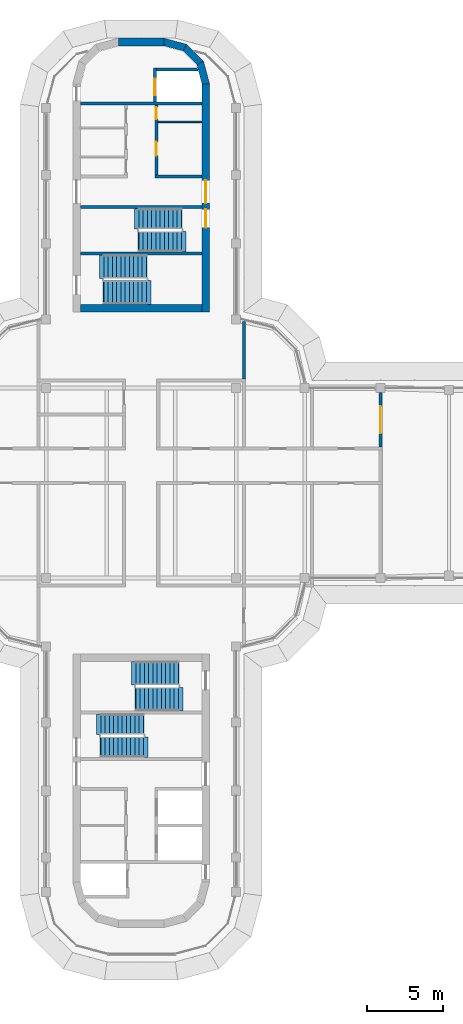
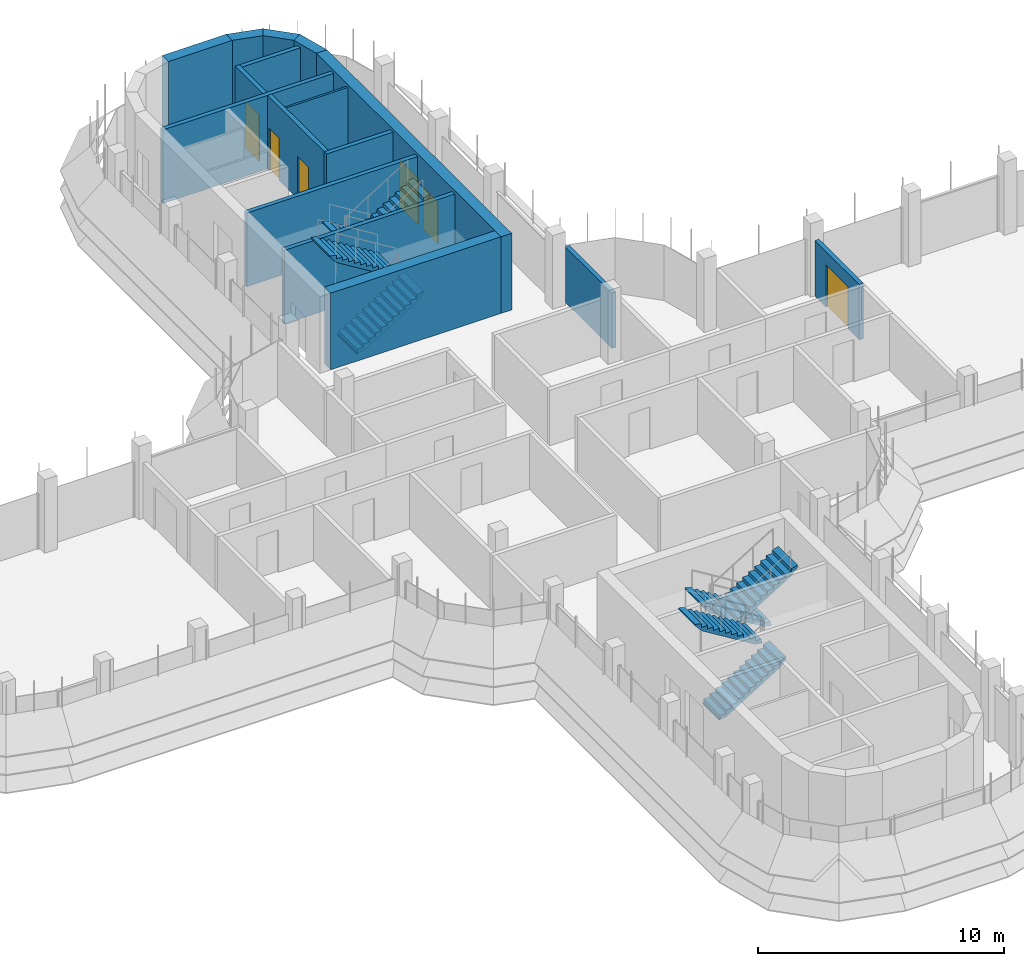
# One storey, part 15 of 19: 16 walls, 8 stair flights, 6 doors, 6 openings, 4 elements without a shape of their own.
"""IFC4 building model written with IfcOpenShell, lengths in metres."""

from ifc_helpers import new_model, si_unit, direction, frame, frame_2d, origin, place, context, subcontext, project, spatial, polyline, rectangle, outline, extrude, material, layer, layer_set, type_object, element, fill, aggregate, save


model = new_model("IFC4")

# Units and contexts
model_context = context("Model", 3, precision=1e-05, world=origin(), true_north=direction((0.0, 1.0)))
body_context = subcontext(model_context, "Body", "Model", "MODEL_VIEW")
ifc_project = project(units=[si_unit("LENGTHUNIT", "METRE"), si_unit("AREAUNIT", "SQUARE_METRE"), si_unit("VOLUMEUNIT", "CUBIC_METRE"), si_unit("PLANEANGLEUNIT", "RADIAN"), si_unit("MASSUNIT", "GRAM", prefix="KILO")], contexts=[model_context])

# Site, building, storey
site_placement = place(None, origin())
site = spatial("IfcSite", under=ifc_project, at=site_placement, CompositionType="ELEMENT")
building_placement = place(site_placement, origin())
building = spatial("IfcBuilding", under=site, at=building_placement, Name="Zarbagh Exchange Tower", CompositionType="ELEMENT")
storey_placement = place(building_placement, frame((0.0, 0.0, 257.39990234375)))
storey = spatial("IfcBuildingStorey", under=building, at=storey_placement, Name="L63", CompositionType="ELEMENT", Elevation=257.39990234375)

# Walls
ifc_material_1 = material(Name="Dense blockwork", Category="masonry")
ifc_layer_1 = layer(ifc_material_1, 0.10009765625)
ifc_layer_set_1 = layer_set([ifc_layer_1], Name="Core partition 100 mm blockwork")
wall_type_1 = type_object("IfcWallType", Name="Core partition 100 mm blockwork", PredefinedType="PARTITIONING", material=ifc_layer_set_1)
wall_1_placement = place(storey_placement, frame((1.10009765625, 23.75, 0.0), z_axis=(0.0, 0.0, 1.0), x_axis=(1.0, 0.0, 0.0)))
element("IfcWall", 1, at=wall_1_placement, inside=storey, type_object=wall_type_1, Name="North core partition wall CUT-E-460", PredefinedType="PARTITIONING", context=body_context, shape_type="SweptSolid", body=[
    extrude(rectangle(XDim=2.89990234375, YDim=0.10009765625, at=frame_2d((1.449951171875, 0.0))), origin(), (0.0, 0.0, 1.0), 3.650146484375),
])
ifc_material_2 = material(Name="Fire-rated plasterboard partition")
ifc_layer_2 = layer(ifc_material_2, 0.199951171875)
ifc_layer_set_2 = layer_set([ifc_layer_2], Name="RATED PARTITION 200")
wall_type_2 = type_object("IfcWallType", Name="RATED PARTITION 200", PredefinedType="PARTITIONING", material=ifc_layer_set_2)
wall_2_placement = place(storey_placement, frame((6.75, 6.85009765625, 0.0), z_axis=(0.0, 0.0, 1.0), x_axis=(0.0, 1.0, 0.0)))
element("IfcWall", 2, at=wall_2_placement, inside=storey, type_object=wall_type_2, Name="Partition W-2721", PredefinedType="PARTITIONING", context=body_context, shape_type="SweptSolid", body=[
    extrude(rectangle(XDim=3.77978515625, YDim=0.199951171875, at=frame_2d((1.889892578125, 0.0))), origin(), (0.0, 0.0, 1.0), 2.75),
])

# Wall, opening, door
wall_3_placement = place(storey_placement, frame((15.75, 5.949951171875, 0.0), z_axis=(0.0, 0.0, 1.0), x_axis=(0.0, -1.0, 0.0)))
wall_3 = element("IfcWall", 3, at=wall_3_placement, inside=storey, type_object=wall_type_2, Name="Partition W-2739", PredefinedType="PARTITIONING", context=body_context, shape_type="SweptSolid", body=[
    extrude(rectangle(XDim=3.599853515625, YDim=0.199951171875, at=frame_2d((1.7998046875, 0.0))), origin(), (0.0, 0.0, 1.0), 2.75),
])
opening_1_placement = place(wall_3_placement, frame((0.89990234375, 0.0, 0.0)))
opening_1 = element("IfcOpeningElement", 4, at=opening_1_placement, cuts=wall_3, Name="Opening D-2701", PredefinedType="OPENING", context=body_context, shape_type="SweptSolid", body=[
    extrude(rectangle(XDim=1.800048828125, YDim=2.10009765625, at=frame_2d((0.89990234375, 1.050048828125))), frame((0.0, 0.10986328125, 0.0), z_axis=(0.0, -1.0, 0.0), x_axis=(1.0, 0.0, 0.0)), (0.0, 0.0, 1.0), 0.219970703125),
])
ifc_material_3 = material(Name="Steel door set", Category="steel")
door_type_1 = type_object("IfcDoorType", Name="FIRE DOUBLE DOOR 1800 X 2100 FD30S", OperationType="DOUBLE_DOOR_SINGLE_SWING", PredefinedType="DOOR", material=ifc_material_3)
door_1_placement = place(opening_1_placement, origin())
door_1 = element("IfcDoor", 5, at=door_1_placement, inside=storey, type_object=door_type_1, Name="Door D-2701", OperationType="DOUBLE_DOOR_SINGLE_SWING", OverallHeight=2.10009765625, OverallWidth=1.800048828125, PredefinedType="DOOR", context=body_context, shape_type="SweptSolid", body=[
    extrude(rectangle(XDim=1.800048828125, YDim=2.10009765625, at=frame_2d((0.89990234375, 1.050048828125))), frame((0.0, 0.02490234375, 0.0), z_axis=(0.0, -1.0, 0.0), x_axis=(1.0, 0.0, 0.0)), (0.0, 0.0, 1.0), 0.050048828125),
])
fill(opening_1, door_1)

# Walls
ifc_material_4 = material(Name="Concrete C40/50", Category="concrete")
ifc_layer_3 = layer(ifc_material_4, 0.5)
ifc_layer_set_3 = layer_set([ifc_layer_3], Name="RC core corner wall 500 C40/50")
wall_type_3 = type_object("IfcWallType", Name="RC core corner wall 500 C40/50", PredefinedType="SHEAR", material=ifc_layer_set_3)
wall_4_placement = place(storey_placement, origin())
element("IfcWall", 6, at=wall_4_placement, inside=storey, type_object=wall_type_3, Name="CW10 core N corner E", PredefinedType="SHEAR", context=body_context, shape_type="SweptSolid", body=[
    extrude(outline(polyline([(4.5, 26.25), (4.09814453125, 27.75), (3.6650390625, 27.5), (4.0, 26.25), (4.5, 26.25)])), origin(), (0.0, 0.0, 1.0), 3.800048828125),
])
wall_5_placement = place(storey_placement, origin())
element("IfcWall", 7, at=wall_5_placement, inside=storey, type_object=wall_type_3, Name="CW10 core N corner E", PredefinedType="SHEAR", context=body_context, shape_type="SweptSolid", body=[
    extrude(outline(polyline([(4.09814453125, 27.75), (3.0, 28.84814453125), (2.75, 28.4150390625), (3.6650390625, 27.5), (4.09814453125, 27.75)])), origin(), (0.0, 0.0, 1.0), 3.800048828125),
])
wall_6_placement = place(storey_placement, origin())
element("IfcWall", 8, at=wall_6_placement, inside=storey, type_object=wall_type_3, Name="CW10 core N corner E", PredefinedType="SHEAR", context=body_context, shape_type="SweptSolid", body=[
    extrude(outline(polyline([(3.0, 28.84814453125), (1.5, 29.25), (1.5, 28.75), (2.75, 28.4150390625), (3.0, 28.84814453125)])), origin(), (0.0, 0.0, 1.0), 3.800048828125),
])

# Wall, openings, doors
ifc_layer_4 = layer(ifc_material_4, 0.5)
ifc_layer_set_4 = layer_set([ifc_layer_4], Name="RC core wall 500 C40/50")
wall_type_4 = type_object("IfcWallType", Name="RC core wall 500 C40/50", PredefinedType="SHEAR", material=ifc_layer_set_4)
wall_7_placement = place(storey_placement, frame((4.25, 11.25, 0.0), z_axis=(0.0, 0.0, 1.0), x_axis=(0.0, 1.0, 0.0)))
wall_7 = element("IfcWall", 9, at=wall_7_placement, inside=storey, type_object=wall_type_4, Name="CW9 core N E", PredefinedType="SHEAR", context=body_context, shape_type="SweptSolid", body=[
    extrude(rectangle(XDim=15.0, YDim=0.5, at=frame_2d((7.5, 0.0))), origin(), (0.0, 0.0, 1.0), 3.800048828125),
])
opening_2_placement = place(wall_7_placement, frame((7.14990234375, 0.0, 0.0)))
opening_2 = element("IfcOpeningElement", 10, at=opening_2_placement, cuts=wall_7, Name="Opening CD1-1500", PredefinedType="OPENING", context=body_context, shape_type="SweptSolid", body=[
    extrude(rectangle(XDim=1.5, YDim=2.300048828125, at=frame_2d((0.75, 1.14990234375))), frame((0.0, 0.260009765625, 0.0), z_axis=(0.0, -1.0, 0.0), x_axis=(1.0, 0.0, 0.0)), (0.0, 0.0, 1.0), 0.52001953125),
])
opening_3_placement = place(wall_7_placement, frame((5.550048828125, 0.0, 0.0)))
opening_3 = element("IfcOpeningElement", 11, at=opening_3_placement, cuts=wall_7, Name="Opening SD1-1200", PredefinedType="OPENING", context=body_context, shape_type="SweptSolid", body=[
    extrude(rectangle(XDim=1.199951171875, YDim=2.10009765625, at=frame_2d((0.60009765625, 1.050048828125))), frame((0.0, 0.260009765625, 0.0), z_axis=(0.0, -1.0, 0.0), x_axis=(1.0, 0.0, 0.0)), (0.0, 0.0, 1.0), 0.52001953125),
])
ifc_material_5 = material(Name="Steel", Category="steel")
door_type_2 = type_object("IfcDoorType", Name="Exit stair door 1200 x 2100", OperationType="NOTDEFINED", PredefinedType="DOOR", material=ifc_material_5)
door_2_placement = place(opening_3_placement, origin())
door_2 = element("IfcDoor", 12, at=door_2_placement, inside=storey, type_object=door_type_2, Name="North core stair door ST1", OperationType="SINGLE_SWING_LEFT", OverallHeight=2.10009765625, OverallWidth=1.199951171875, PredefinedType="DOOR", context=body_context, shape_type="SweptSolid", body=[
    extrude(rectangle(XDim=1.199951171875, YDim=2.10009765625, at=frame_2d((0.60009765625, 1.050048828125))), frame((0.0, 0.02490234375, 0.0), z_axis=(0.0, -1.0, 0.0), x_axis=(1.0, 0.0, 0.0)), (0.0, 0.0, 1.0), 0.050048828125),
])
fill(opening_3, door_2)
door_type_3 = type_object("IfcDoorType", Name="Lift lobby double door 1500 x 2300", OperationType="NOTDEFINED", PredefinedType="DOOR", material=ifc_material_5)
door_3_placement = place(opening_2_placement, origin())
door_3 = element("IfcDoor", 13, at=door_3_placement, inside=storey, type_object=door_type_3, Name="North core lift lobby door LOBBY-E", OperationType="DOUBLE_DOOR_SINGLE_SWING", OverallHeight=2.300048828125, OverallWidth=1.5, PredefinedType="DOOR", context=body_context, shape_type="SweptSolid", body=[
    extrude(rectangle(XDim=1.5, YDim=2.300048828125, at=frame_2d((0.75, 1.14990234375))), frame((0.0, 0.02490234375, 0.0), z_axis=(0.0, -1.0, 0.0), x_axis=(1.0, 0.0, 0.0)), (0.0, 0.0, 1.0), 0.050048828125),
])
fill(opening_2, door_3)

# Walls
wall_8_placement = place(storey_placement, frame((-4.0, 11.5, 0.0), z_axis=(0.0, 0.0, 1.0), x_axis=(1.0, 0.0, 0.0)))
element("IfcWall", 14, at=wall_8_placement, inside=storey, type_object=wall_type_4, Name="CW9 core N inner end", PredefinedType="SHEAR", context=body_context, shape_type="SweptSolid", body=[
    extrude(rectangle(XDim=8.0, YDim=0.5, at=frame_2d((4.0, 0.0))), origin(), (0.0, 0.0, 1.0), 3.800048828125),
])
wall_9_placement = place(storey_placement, frame((-1.5, 29.0, 0.0), z_axis=(0.0, 0.0, 1.0), x_axis=(1.0, 0.0, 0.0)))
element("IfcWall", 15, at=wall_9_placement, inside=storey, type_object=wall_type_4, Name="CW9 core N outer end", PredefinedType="SHEAR", context=body_context, shape_type="SweptSolid", body=[
    extrude(rectangle(XDim=3.0, YDim=0.5, at=frame_2d((1.5, 0.0))), origin(), (0.0, 0.0, 1.0), 3.800048828125),
])
ifc_layer_5 = layer(ifc_material_1, 0.199951171875)
ifc_layer_set_5 = layer_set([ifc_layer_5], Name="Shaft wall 200 mm blockwork")
wall_type_5 = type_object("IfcWallType", Name="Shaft wall 200 mm blockwork", PredefinedType="PARTITIONING", material=ifc_layer_set_5)
wall_10_placement = place(storey_placement, frame((0.89990234375, 20.14990234375, 0.0), z_axis=(0.0, 0.0, 1.0), x_axis=(1.0, 0.0, 0.0)))
element("IfcWall", 16, at=wall_10_placement, inside=storey, type_object=wall_type_5, Name="North core shaft wall AB-E", PredefinedType="PARTITIONING", context=body_context, shape_type="SweptSolid", body=[
    extrude(rectangle(XDim=3.10009765625, YDim=0.199951171875, at=frame_2d((1.550048828125, 0.0))), origin(), (0.0, 0.0, 1.0), 3.650146484375),
])

# Wall, openings, doors
wall_11_placement = place(storey_placement, frame((1.0, 24.85009765625, 0.0), z_axis=(0.0, 0.0, 1.0), x_axis=(0.0, -1.0, 0.0)))
wall_11 = element("IfcWall", 17, at=wall_11_placement, inside=storey, type_object=wall_type_5, Name="North core shaft wall LW-E", PredefinedType="PARTITIONING", context=body_context, shape_type="SweptSolid", body=[
    extrude(rectangle(XDim=4.60009765625, YDim=0.199951171875, at=frame_2d((2.300048828125, 0.0))), origin(), (0.0, 0.0, 1.0), 3.650146484375),
])
opening_4_placement = place(wall_11_placement, frame((0.125, 0.0, 0.0)))
opening_4 = element("IfcOpeningElement", 18, at=opening_4_placement, cuts=wall_11, Name="Opening CD3-800", PredefinedType="OPENING", context=body_context, shape_type="SweptSolid", body=[
    extrude(rectangle(XDim=0.800048828125, YDim=2.10009765625, at=frame_2d((0.39990234375, 1.050048828125))), frame((0.0, 0.10986328125, 0.0), z_axis=(0.0, -1.0, 0.0), x_axis=(1.0, 0.0, 0.0)), (0.0, 0.0, 1.0), 0.219970703125),
])
opening_5_placement = place(wall_11_placement, frame((2.425048828125, 0.0, 0.0)))
opening_5 = element("IfcOpeningElement", 19, at=opening_5_placement, cuts=wall_11, Name="Opening CD3-900", PredefinedType="OPENING", context=body_context, shape_type="SweptSolid", body=[
    extrude(rectangle(XDim=0.89990234375, YDim=2.10009765625, at=frame_2d((0.449951171875, 1.050048828125))), frame((0.0, 0.10986328125, 0.0), z_axis=(0.0, -1.0, 0.0), x_axis=(1.0, 0.0, 0.0)), (0.0, 0.0, 1.0), 0.219970703125),
])
door_type_4 = type_object("IfcDoorType", Name="Core room door 800 x 2100", OperationType="NOTDEFINED", PredefinedType="DOOR", material=ifc_material_5)
door_4_placement = place(opening_4_placement, origin())
door_4 = element("IfcDoor", 20, at=door_4_placement, inside=storey, type_object=door_type_4, Name="North core Store door RD-E-0", OperationType="SINGLE_SWING_LEFT", OverallHeight=2.10009765625, OverallWidth=0.800048828125, PredefinedType="DOOR", context=body_context, shape_type="SweptSolid", body=[
    extrude(rectangle(XDim=0.800048828125, YDim=2.10009765625, at=frame_2d((0.39990234375, 1.050048828125))), frame((0.0, 0.02490234375, 0.0), z_axis=(0.0, -1.0, 0.0), x_axis=(1.0, 0.0, 0.0)), (0.0, 0.0, 1.0), 0.050048828125),
])
fill(opening_4, door_4)
door_type_5 = type_object("IfcDoorType", Name="Core room door 900 x 2100", OperationType="NOTDEFINED", PredefinedType="DOOR", material=ifc_material_5)
door_5_placement = place(opening_5_placement, origin())
door_5 = element("IfcDoor", 21, at=door_5_placement, inside=storey, type_object=door_type_5, Name="North core Staff WC door RD-E-1", OperationType="SINGLE_SWING_LEFT", OverallHeight=2.10009765625, OverallWidth=0.89990234375, PredefinedType="DOOR", context=body_context, shape_type="SweptSolid", body=[
    extrude(rectangle(XDim=0.89990234375, YDim=2.10009765625, at=frame_2d((0.449951171875, 1.050048828125))), frame((0.0, 0.02490234375, 0.0), z_axis=(0.0, -1.0, 0.0), x_axis=(1.0, 0.0, 0.0)), (0.0, 0.0, 1.0), 0.050048828125),
])
fill(opening_5, door_5)

# Wall
ifc_layer_6 = layer(ifc_material_4, 0.199951171875)
ifc_layer_set_6 = layer_set([ifc_layer_6], Name="Stair enclosure wall 200 mm RC C40/50")
wall_type_6 = type_object("IfcWallType", Name="Stair enclosure wall 200 mm RC C40/50", PredefinedType="SHEAR", material=ifc_layer_set_6)
wall_12_placement = place(storey_placement, frame((-4.0, 24.949951171875, 0.0), z_axis=(0.0, 0.0, 1.0), x_axis=(1.0, 0.0, 0.0)))
element("IfcWall", 22, at=wall_12_placement, inside=storey, type_object=wall_type_6, Name="North core lift shaft wall FFA", PredefinedType="SHEAR", context=body_context, shape_type="SweptSolid", body=[
    extrude(rectangle(XDim=8.0, YDim=0.199951171875, at=frame_2d((4.0, 0.0))), origin(), (0.0, 0.0, 1.0), 3.650146484375),
])

# Wall, opening, door
wall_13_placement = place(storey_placement, frame((0.89990234375, 27.300048828125, 0.0), z_axis=(0.0, 0.0, 1.0), x_axis=(0.0, -1.0, 0.0)))
wall_13 = element("IfcWall", 23, at=wall_13_placement, inside=storey, type_object=wall_type_6, Name="North core lift shaft wall FFL", PredefinedType="SHEAR", context=body_context, shape_type="SweptSolid", body=[
    extrude(rectangle(XDim=2.25, YDim=0.199951171875, at=frame_2d((1.125, 0.0))), origin(), (0.0, 0.0, 1.0), 3.650146484375),
])
opening_6_placement = place(wall_13_placement, frame((0.699951171875, 0.0, 0.0)))
opening_6 = element("IfcOpeningElement", 24, at=opening_6_placement, cuts=wall_13, Name="Opening LD-1100", PredefinedType="OPENING", context=body_context, shape_type="SweptSolid", body=[
    extrude(rectangle(XDim=1.10009765625, YDim=2.300048828125, at=frame_2d((0.550048828125, 1.14990234375))), frame((0.0, 0.10986328125, 0.0), z_axis=(0.0, -1.0, 0.0), x_axis=(1.0, 0.0, 0.0)), (0.0, 0.0, 1.0), 0.219970703125),
])
ifc_material_6 = material(Name="Stainless steel", Category="steel")
door_type_6 = type_object("IfcDoorType", Name="Lift landing door 1100 x 2300", OperationType="NOTDEFINED", PredefinedType="DOOR", material=ifc_material_6)
door_6_placement = place(opening_6_placement, origin())
door_6 = element("IfcDoor", 25, at=door_6_placement, inside=storey, type_object=door_type_6, Name="North core lift landing door LD-F", OperationType="DOUBLE_DOOR_SLIDING", OverallHeight=2.300048828125, OverallWidth=1.10009765625, PredefinedType="DOOR", context=body_context, shape_type="SweptSolid", body=[
    extrude(rectangle(XDim=1.10009765625, YDim=2.300048828125, at=frame_2d((0.550048828125, 1.14990234375))), frame((0.0, 0.02490234375, 0.0), z_axis=(0.0, -1.0, 0.0), x_axis=(1.0, 0.0, 0.0)), (0.0, 0.0, 1.0), 0.050048828125),
])
fill(opening_6, door_6)

# Walls
wall_14_placement = place(storey_placement, origin())
element("IfcWall", 26, at=wall_14_placement, inside=storey, type_object=wall_type_6, Name="North core lift shaft wall FFX", PredefinedType="SHEAR", context=body_context, shape_type="SweptSolid", body=[
    extrude(outline(polyline([(1.0, 27.10009765625), (3.754638671875, 27.10009765625), (3.700927734375, 27.300048828125), (1.0, 27.300048828125), (1.0, 27.10009765625)])), origin(), (0.0, 0.0, 1.0), 3.650146484375),
])
for number, where, z_axis, x_axis, name in (
    (27, (-4.0, 18.14990234375, 0.0), (0.0, 0.0, 1.0), (1.0, 0.0, 0.0), "North core stair wall BS"),
    (28, (-4.0, 15.10009765625, 0.0), (0.0, 0.0, 1.0), (1.0, 0.0, 0.0), "North core stair wall ST12"),
):
    element("IfcWall", number, at=place(storey_placement, frame(where, z_axis=z_axis, x_axis=x_axis)), inside=storey, type_object=wall_type_6, Name=name, PredefinedType="SHEAR", context=body_context, shape_type="SweptSolid", body=[
        extrude(rectangle(XDim=8.0, YDim=0.199951171875, at=frame_2d((4.0, 0.0))), origin(), (0.0, 0.0, 1.0), 3.650146484375),
    ])

# Stair, stair flights
stair_type = type_object("IfcStairType", Name="Exit stair two-flight half-turn", PredefinedType="HALF_TURN_STAIR", material=ifc_material_4)
stair_1_placement = place(storey_placement, origin())
stair_1 = element("IfcStair", 29, at=stair_1_placement, inside=storey, type_object=stair_type, Name="exit stair ST1", PredefinedType="HALF_TURN_STAIR")
stair_flight_type_1 = type_object("IfcStairFlightType", Name="Stair flight 1350 mm", PredefinedType="STRAIGHT", material=ifc_material_4)
stair_flight_1_placement = place(storey_placement, frame((2.64990234375, 17.375, 0.0), z_axis=(0.0, 0.0, 1.0), x_axis=(-1.0, 0.0, 0.0)))
stair_flight_1 = element("IfcStairFlight", 30, at=stair_flight_1_placement, type_object=stair_flight_type_1, Name="ST1 flight 1", NumberOfRisers=11, NumberOfTreads=10, PredefinedType="STRAIGHT", RiserHeight=0.172727273, TreadLength=0.28, context=body_context, shape_type="SweptSolid", body=[
    extrude(outline(polyline([(-0.050048828125, -0.050048828125), (-0.050048828125, 0.0), (0.0, 0.0), (0.0, 0.172607421875), (0.280029296875, 0.172607421875), (0.280029296875, 0.345458984375), (0.56005859375, 0.345458984375), (0.56005859375, 0.51806640625), (0.840087890625, 0.51806640625), (0.840087890625, 0.69091796875), (1.1201171875, 0.69091796875), (1.1201171875, 0.863525390625), (1.39990234375, 0.863525390625), (1.39990234375, 1.036376953125), (1.679931640625, 1.036376953125), (1.679931640625, 1.208984375), (1.9599609375, 1.208984375), (1.9599609375, 1.3818359375), (2.239990234375, 1.3818359375), (2.239990234375, 1.554443359375), (2.52001953125, 1.554443359375), (2.52001953125, 1.727294921875), (2.800048828125, 1.727294921875), (2.800048828125, 1.89990234375), (3.10009765625, 1.97998046875), (3.10009765625, 1.89990234375), (2.800048828125, 1.551025390625), (0.285400390625, 0.0), (-0.050048828125, -0.050048828125)])), frame((0.0, 0.675048828125, 0.0), z_axis=(0.0, -1.0, 0.0), x_axis=(1.0, 0.0, 0.0)), (0.0, 0.0, 1.0), 1.35009765625),
])
stair_flight_2_placement = place(storey_placement, frame((-0.14990234375, 15.875, 1.900146484375), z_axis=(0.0, 0.0, 1.0), x_axis=(1.0, 0.0, 0.0)))
stair_flight_2 = element("IfcStairFlight", 31, at=stair_flight_2_placement, type_object=stair_flight_type_1, Name="ST1 flight 2", NumberOfRisers=11, NumberOfTreads=10, PredefinedType="STRAIGHT", RiserHeight=0.172727273, TreadLength=0.28, context=body_context, shape_type="SweptSolid", body=[
    extrude(outline(polyline([(-0.050048828125, -0.050048828125), (-0.050048828125, 0.0), (0.0, 0.0), (0.0, 0.172607421875), (0.280029296875, 0.172607421875), (0.280029296875, 0.345458984375), (0.56005859375, 0.345458984375), (0.56005859375, 0.51806640625), (0.840087890625, 0.51806640625), (0.840087890625, 0.69091796875), (1.1201171875, 0.69091796875), (1.1201171875, 0.863525390625), (1.39990234375, 0.863525390625), (1.39990234375, 1.036376953125), (1.679931640625, 1.036376953125), (1.679931640625, 1.208984375), (1.9599609375, 1.208984375), (1.9599609375, 1.3818359375), (2.239990234375, 1.3818359375), (2.239990234375, 1.554443359375), (2.52001953125, 1.554443359375), (2.52001953125, 1.727294921875), (2.800048828125, 1.727294921875), (2.800048828125, 1.89990234375), (3.10009765625, 1.97998046875), (3.10009765625, 1.89990234375), (2.800048828125, 1.551025390625), (0.285400390625, 0.0), (-0.050048828125, -0.050048828125)])), frame((0.0, 0.675048828125, 0.0), z_axis=(0.0, -1.0, 0.0), x_axis=(1.0, 0.0, 0.0)), (0.0, 0.0, 1.0), 1.35009765625),
])
aggregate(stair_1, [stair_flight_1, stair_flight_2])

stair_2_placement = place(storey_placement, origin())
stair_2 = element("IfcStair", 32, at=stair_2_placement, inside=storey, type_object=stair_type, Name="exit stair ST3", PredefinedType="HALF_TURN_STAIR")
stair_flight_3_placement = place(storey_placement, frame((-2.64990234375, -17.375, 0.0), z_axis=(0.0, 0.0, 1.0), x_axis=(1.0, 0.0, 0.0)))
stair_flight_3 = element("IfcStairFlight", 33, at=stair_flight_3_placement, type_object=stair_flight_type_1, Name="ST3 flight 1", NumberOfRisers=11, NumberOfTreads=10, PredefinedType="STRAIGHT", RiserHeight=0.172727273, TreadLength=0.28, context=body_context, shape_type="SweptSolid", body=[
    extrude(outline(polyline([(-0.050048828125, -0.050048828125), (-0.050048828125, 0.0), (0.0, 0.0), (0.0, 0.172607421875), (0.280029296875, 0.172607421875), (0.280029296875, 0.345458984375), (0.56005859375, 0.345458984375), (0.56005859375, 0.51806640625), (0.840087890625, 0.51806640625), (0.840087890625, 0.69091796875), (1.1201171875, 0.69091796875), (1.1201171875, 0.863525390625), (1.39990234375, 0.863525390625), (1.39990234375, 1.036376953125), (1.679931640625, 1.036376953125), (1.679931640625, 1.208984375), (1.9599609375, 1.208984375), (1.9599609375, 1.3818359375), (2.239990234375, 1.3818359375), (2.239990234375, 1.554443359375), (2.52001953125, 1.554443359375), (2.52001953125, 1.727294921875), (2.800048828125, 1.727294921875), (2.800048828125, 1.89990234375), (3.10009765625, 1.97998046875), (3.10009765625, 1.89990234375), (2.800048828125, 1.551025390625), (0.285400390625, 0.0), (-0.050048828125, -0.050048828125)])), frame((0.0, 0.675048828125, 0.0), z_axis=(0.0, -1.0, 0.0), x_axis=(1.0, 0.0, 0.0)), (0.0, 0.0, 1.0), 1.35009765625),
])
stair_flight_4_placement = place(storey_placement, frame((0.14990234375, -15.875, 1.900146484375), z_axis=(0.0, 0.0, 1.0), x_axis=(-1.0, 0.0, 0.0)))
stair_flight_4 = element("IfcStairFlight", 34, at=stair_flight_4_placement, type_object=stair_flight_type_1, Name="ST3 flight 2", NumberOfRisers=11, NumberOfTreads=10, PredefinedType="STRAIGHT", RiserHeight=0.172727273, TreadLength=0.28, context=body_context, shape_type="SweptSolid", body=[
    extrude(outline(polyline([(-0.050048828125, -0.050048828125), (-0.050048828125, 0.0), (0.0, 0.0), (0.0, 0.172607421875), (0.280029296875, 0.172607421875), (0.280029296875, 0.345458984375), (0.56005859375, 0.345458984375), (0.56005859375, 0.51806640625), (0.840087890625, 0.51806640625), (0.840087890625, 0.69091796875), (1.1201171875, 0.69091796875), (1.1201171875, 0.863525390625), (1.39990234375, 0.863525390625), (1.39990234375, 1.036376953125), (1.679931640625, 1.036376953125), (1.679931640625, 1.208984375), (1.9599609375, 1.208984375), (1.9599609375, 1.3818359375), (2.239990234375, 1.3818359375), (2.239990234375, 1.554443359375), (2.52001953125, 1.554443359375), (2.52001953125, 1.727294921875), (2.800048828125, 1.727294921875), (2.800048828125, 1.89990234375), (3.10009765625, 1.97998046875), (3.10009765625, 1.89990234375), (2.800048828125, 1.551025390625), (0.285400390625, 0.0), (-0.050048828125, -0.050048828125)])), frame((0.0, 0.675048828125, 0.0), z_axis=(0.0, -1.0, 0.0), x_axis=(1.0, 0.0, 0.0)), (0.0, 0.0, 1.0), 1.35009765625),
])
aggregate(stair_2, [stair_flight_3, stair_flight_4])

stair_3_placement = place(storey_placement, origin())
stair_3 = element("IfcStair", 35, at=stair_3_placement, inside=storey, type_object=stair_type, Name="exit stair ST2", PredefinedType="HALF_TURN_STAIR")
stair_flight_type_2 = type_object("IfcStairFlightType", Name="Stair flight 1550 mm", PredefinedType="STRAIGHT", material=ifc_material_4)
stair_flight_5_placement = place(storey_placement, frame((-2.449951171875, 12.52490234375, 0.0), z_axis=(0.0, 0.0, 1.0), x_axis=(1.0, 0.0, 0.0)))
stair_flight_5 = element("IfcStairFlight", 36, at=stair_flight_5_placement, type_object=stair_flight_type_2, Name="ST2 flight 1", NumberOfRisers=11, NumberOfTreads=10, PredefinedType="STRAIGHT", RiserHeight=0.172727273, TreadLength=0.28, context=body_context, shape_type="SweptSolid", body=[
    extrude(outline(polyline([(-0.050048828125, -0.050048828125), (-0.050048828125, 0.0), (0.0, 0.0), (0.0, 0.172607421875), (0.280029296875, 0.172607421875), (0.280029296875, 0.345458984375), (0.56005859375, 0.345458984375), (0.56005859375, 0.51806640625), (0.840087890625, 0.51806640625), (0.840087890625, 0.69091796875), (1.1201171875, 0.69091796875), (1.1201171875, 0.863525390625), (1.39990234375, 0.863525390625), (1.39990234375, 1.036376953125), (1.679931640625, 1.036376953125), (1.679931640625, 1.208984375), (1.9599609375, 1.208984375), (1.9599609375, 1.3818359375), (2.239990234375, 1.3818359375), (2.239990234375, 1.554443359375), (2.52001953125, 1.554443359375), (2.52001953125, 1.727294921875), (2.800048828125, 1.727294921875), (2.800048828125, 1.89990234375), (3.10009765625, 1.97998046875), (3.10009765625, 1.89990234375), (2.800048828125, 1.551025390625), (0.285400390625, 0.0), (-0.050048828125, -0.050048828125)])), frame((0.0, 0.77490234375, 0.0), z_axis=(0.0, -1.0, 0.0), x_axis=(1.0, 0.0, 0.0)), (0.0, 0.0, 1.0), 1.550048828125),
])
stair_flight_6_placement = place(storey_placement, frame((0.35009765625, 14.22509765625, 1.900146484375), z_axis=(0.0, 0.0, 1.0), x_axis=(-1.0, 0.0, 0.0)))
stair_flight_6 = element("IfcStairFlight", 37, at=stair_flight_6_placement, type_object=stair_flight_type_2, Name="ST2 flight 2", NumberOfRisers=11, NumberOfTreads=10, PredefinedType="STRAIGHT", RiserHeight=0.172727273, TreadLength=0.28, context=body_context, shape_type="SweptSolid", body=[
    extrude(outline(polyline([(-0.050048828125, -0.050048828125), (-0.050048828125, 0.0), (0.0, 0.0), (0.0, 0.172607421875), (0.280029296875, 0.172607421875), (0.280029296875, 0.345458984375), (0.56005859375, 0.345458984375), (0.56005859375, 0.51806640625), (0.840087890625, 0.51806640625), (0.840087890625, 0.69091796875), (1.1201171875, 0.69091796875), (1.1201171875, 0.863525390625), (1.39990234375, 0.863525390625), (1.39990234375, 1.036376953125), (1.679931640625, 1.036376953125), (1.679931640625, 1.208984375), (1.9599609375, 1.208984375), (1.9599609375, 1.3818359375), (2.239990234375, 1.3818359375), (2.239990234375, 1.554443359375), (2.52001953125, 1.554443359375), (2.52001953125, 1.727294921875), (2.800048828125, 1.727294921875), (2.800048828125, 1.89990234375), (3.10009765625, 1.97998046875), (3.10009765625, 1.89990234375), (2.800048828125, 1.551025390625), (0.285400390625, 0.0), (-0.050048828125, -0.050048828125)])), frame((0.0, 0.77490234375, 0.0), z_axis=(0.0, -1.0, 0.0), x_axis=(1.0, 0.0, 0.0)), (0.0, 0.0, 1.0), 1.550048828125),
])
aggregate(stair_3, [stair_flight_5, stair_flight_6])

stair_4_placement = place(storey_placement, origin())
stair_4 = element("IfcStair", 38, at=stair_4_placement, inside=storey, type_object=stair_type, Name="exit stair ST4", PredefinedType="HALF_TURN_STAIR")
stair_flight_7_placement = place(storey_placement, frame((2.449951171875, -12.52490234375, 0.0), z_axis=(0.0, 0.0, 1.0), x_axis=(-1.0, 0.0, 0.0)))
stair_flight_7 = element("IfcStairFlight", 39, at=stair_flight_7_placement, type_object=stair_flight_type_2, Name="ST4 flight 1", NumberOfRisers=11, NumberOfTreads=10, PredefinedType="STRAIGHT", RiserHeight=0.172727273, TreadLength=0.28, context=body_context, shape_type="SweptSolid", body=[
    extrude(outline(polyline([(-0.050048828125, -0.050048828125), (-0.050048828125, 0.0), (0.0, 0.0), (0.0, 0.172607421875), (0.280029296875, 0.172607421875), (0.280029296875, 0.345458984375), (0.56005859375, 0.345458984375), (0.56005859375, 0.51806640625), (0.840087890625, 0.51806640625), (0.840087890625, 0.69091796875), (1.1201171875, 0.69091796875), (1.1201171875, 0.863525390625), (1.39990234375, 0.863525390625), (1.39990234375, 1.036376953125), (1.679931640625, 1.036376953125), (1.679931640625, 1.208984375), (1.9599609375, 1.208984375), (1.9599609375, 1.3818359375), (2.239990234375, 1.3818359375), (2.239990234375, 1.554443359375), (2.52001953125, 1.554443359375), (2.52001953125, 1.727294921875), (2.800048828125, 1.727294921875), (2.800048828125, 1.89990234375), (3.10009765625, 1.97998046875), (3.10009765625, 1.89990234375), (2.800048828125, 1.551025390625), (0.285400390625, 0.0), (-0.050048828125, -0.050048828125)])), frame((0.0, 0.77490234375, 0.0), z_axis=(0.0, -1.0, 0.0), x_axis=(1.0, 0.0, 0.0)), (0.0, 0.0, 1.0), 1.550048828125),
])
stair_flight_8_placement = place(storey_placement, frame((-0.35009765625, -14.22509765625, 1.900146484375), z_axis=(0.0, 0.0, 1.0), x_axis=(1.0, 0.0, 0.0)))
stair_flight_8 = element("IfcStairFlight", 40, at=stair_flight_8_placement, type_object=stair_flight_type_2, Name="ST4 flight 2", NumberOfRisers=11, NumberOfTreads=10, PredefinedType="STRAIGHT", RiserHeight=0.172727273, TreadLength=0.28, context=body_context, shape_type="SweptSolid", body=[
    extrude(outline(polyline([(-0.050048828125, -0.050048828125), (-0.050048828125, 0.0), (0.0, 0.0), (0.0, 0.172607421875), (0.280029296875, 0.172607421875), (0.280029296875, 0.345458984375), (0.56005859375, 0.345458984375), (0.56005859375, 0.51806640625), (0.840087890625, 0.51806640625), (0.840087890625, 0.69091796875), (1.1201171875, 0.69091796875), (1.1201171875, 0.863525390625), (1.39990234375, 0.863525390625), (1.39990234375, 1.036376953125), (1.679931640625, 1.036376953125), (1.679931640625, 1.208984375), (1.9599609375, 1.208984375), (1.9599609375, 1.3818359375), (2.239990234375, 1.3818359375), (2.239990234375, 1.554443359375), (2.52001953125, 1.554443359375), (2.52001953125, 1.727294921875), (2.800048828125, 1.727294921875), (2.800048828125, 1.89990234375), (3.10009765625, 1.97998046875), (3.10009765625, 1.89990234375), (2.800048828125, 1.551025390625), (0.285400390625, 0.0), (-0.050048828125, -0.050048828125)])), frame((0.0, 0.77490234375, 0.0), z_axis=(0.0, -1.0, 0.0), x_axis=(1.0, 0.0, 0.0)), (0.0, 0.0, 1.0), 1.550048828125),
])
aggregate(stair_4, [stair_flight_7, stair_flight_8])

save(model, "model.ifc")
